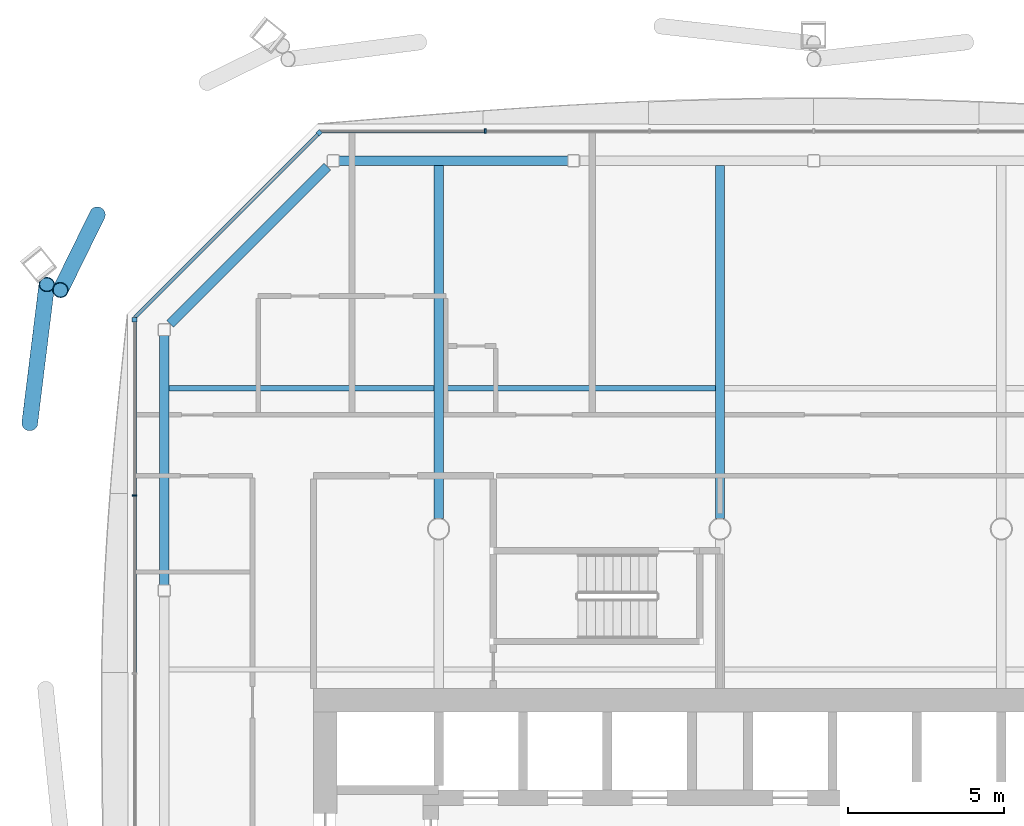
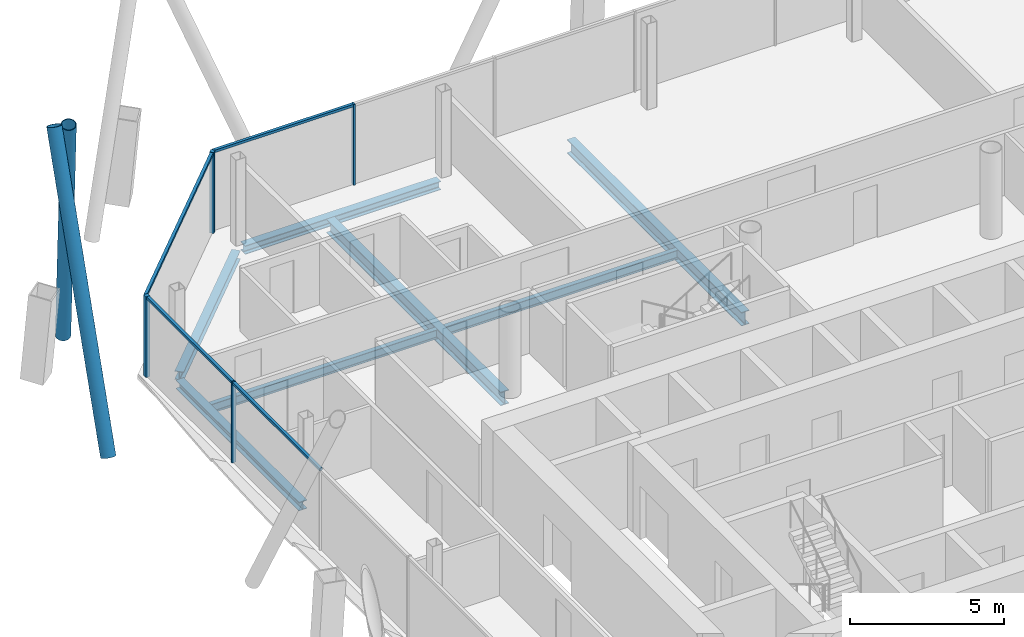
# One storey, part 10 of 20: 10 members, 7 beams, 3 elements without a shape of their own.
"""IFC4 building model written with IfcOpenShell, lengths in metres."""

from ifc_helpers import new_model, si_unit, direction, frame, origin, origin_2d, place, context, subcontext, project, spatial, rectangle, hollow_circle, i_section, extrude, material, material_profile, profile_set, type_object, element, aggregate, save


model = new_model("IFC4")

# Units and contexts
model_context = context("Model", 3, precision=1e-05, world=origin(), true_north=direction((0.0, 1.0)))
body_context = subcontext(model_context, "Body", "Model", "MODEL_VIEW")
ifc_project = project(units=[si_unit("LENGTHUNIT", "METRE"), si_unit("AREAUNIT", "SQUARE_METRE"), si_unit("VOLUMEUNIT", "CUBIC_METRE"), si_unit("PLANEANGLEUNIT", "RADIAN"), si_unit("MASSUNIT", "GRAM", prefix="KILO")], contexts=[model_context])

# Site, building, storey
site_placement = place(None, origin())
site = spatial("IfcSite", under=ifc_project, at=site_placement, CompositionType="ELEMENT")
building_placement = place(site_placement, origin())
building = spatial("IfcBuilding", under=site, at=building_placement, Name="Tskaro Facet Tower", CompositionType="ELEMENT")
storey_placement = place(building_placement, frame((0.0, 0.0, 152.10009765625)))
storey = spatial("IfcBuildingStorey", under=building, at=storey_placement, Name="L37", CompositionType="ELEMENT", Elevation=152.10009765625)

# Members
ifc_material_1 = material(Name="Steel S355J2H", Category="steel")
ifc_material_profile_1 = material_profile(ifc_material_1, hollow_circle(Radius=0.25390625, WallThickness=0.02490234375, at=origin_2d()), Name="CHS 508x25")
ifc_profile_set_1 = profile_set([ifc_material_profile_1], Name="Steel S355J2H")
member_type_1 = type_object("IfcMemberType", Name="CHS 508x25 brace", PredefinedType="BRACE", material=ifc_profile_set_1)
member_1_placement = place(storey_placement, frame((-19.911865234375, 19.051513671875, 0.0), z_axis=(-0.112302745825, -0.228679127936, 0.967002559317), x_axis=(0.897602258082, -0.440806291115, 0.0)))
element("IfcMember", 1, at=member_1_placement, inside=storey, type_object=member_type_1, Name="CHS 508x25 XB09A/3", PredefinedType="BRACE", context=body_context, shape_type="SweptSolid", body=[
    extrude(hollow_circle(Radius=0.25390625, WallThickness=0.02490234375, at=origin_2d()), origin(), (0.0, 0.0, 1.0), 10.548095703125),
])
member_2_placement = place(storey_placement, frame((-22.07763671875, 12.375, 0.0), z_axis=(0.049158993374, 0.398948353269, 0.915654741043), x_axis=(-0.992493610246, 0.122296498807, 0.0)))
element("IfcMember", 2, at=member_2_placement, inside=storey, type_object=member_type_1, Name="CHS 508x25 XB10B/3", PredefinedType="BRACE", context=body_context, shape_type="SweptSolid", body=[
    extrude(hollow_circle(Radius=0.25390625, WallThickness=0.02490234375, at=origin_2d()), origin(), (0.0, 0.0, 1.0), 11.139404296875),
])

# Curtain wall, member
ifc_material_2 = material(Name="Bronze anodised aluminium 6063-T6", Category="aluminium")
curtain_wall_type = type_object("IfcCurtainWallType", Name="Bronze hotel curtain wall (FW2)", PredefinedType="NOTDEFINED", material=ifc_material_2)
curtain_wall_1_placement = place(storey_placement, origin())
curtain_wall_1 = element("IfcCurtainWall", 3, at=curtain_wall_1_placement, inside=storey, type_object=curtain_wall_type, Name="FW2 north-west facet L37", PredefinedType="NOTDEFINED")
ifc_material_profile_2 = material_profile(ifc_material_2, rectangle(XDim=0.14990234375, YDim=0.14990234375, at=origin_2d()), Name="Corner post 150x150")
ifc_profile_set_2 = profile_set([ifc_material_profile_2], Name="Bronze anodised aluminium 6063-T6")
member_type_2 = type_object("IfcMemberType", Name="FW2 bronze corner post 150x150", PredefinedType="MULLION", material=ifc_profile_set_2)
member_3_placement = place(storey_placement, frame((-12.81396484375, 21.6708984375, 0.0), z_axis=(0.0, 0.0, 1.0), x_axis=(-0.707106781187, -0.707106781187, 0.0)))
member_3 = element("IfcMember", 4, at=member_3_placement, type_object=member_type_2, Name="FW2 north-west corner post", PredefinedType="MULLION", context=body_context, shape_type="SweptSolid", body=[
    extrude(rectangle(XDim=0.14990234375, YDim=0.14990234375, at=origin_2d()), origin(), (0.0, 0.0, 1.0), 3.199951171875),
])

curtain_wall_2_placement = place(storey_placement, origin())
curtain_wall_2 = element("IfcCurtainWall", 5, at=curtain_wall_2_placement, inside=storey, type_object=curtain_wall_type, Name="FW2 west facet L37", PredefinedType="NOTDEFINED")
member_4_placement = place(storey_placement, frame((-18.72412109375, 15.68603515625, 0.0), z_axis=(0.0, 0.0, 1.0), x_axis=(0.0, -1.0, 0.0)))
member_4 = element("IfcMember", 6, at=member_4_placement, type_object=member_type_2, Name="FW2 west corner post", PredefinedType="MULLION", context=body_context, shape_type="SweptSolid", body=[
    extrude(rectangle(XDim=0.14990234375, YDim=0.14990234375, at=origin_2d()), origin(), (0.0, 0.0, 1.0), 3.199951171875),
])

curtain_wall_3_placement = place(storey_placement, origin())
curtain_wall_3 = element("IfcCurtainWall", 7, at=curtain_wall_3_placement, inside=storey, type_object=curtain_wall_type, Name="FW2 north facet L37", PredefinedType="NOTDEFINED")
ifc_material_profile_3 = material_profile(ifc_material_2, rectangle(XDim=0.06005859375, YDim=0.14990234375, at=origin_2d()), Name="Mullion 60x150")
ifc_profile_set_3 = profile_set([ifc_material_profile_3], Name="Bronze anodised aluminium 6063-T6")
member_type_3 = type_object("IfcMemberType", Name="FW2 bronze mullion 60x150", PredefinedType="MULLION", material=ifc_profile_set_3)
member_5_placement = place(storey_placement, frame((-7.50732421875, 21.72412109375, 0.0), z_axis=(0.0, 0.0, 1.0), x_axis=(-1.0, 0.0, 0.0)))
member_5 = element("IfcMember", 8, at=member_5_placement, type_object=member_type_3, Name="FW2 north mullion 5", PredefinedType="MULLION", context=body_context, shape_type="SweptSolid", body=[
    extrude(rectangle(XDim=0.06005859375, YDim=0.14990234375, at=origin_2d()), origin(), (0.0, 0.0, 1.0), 3.199951171875),
])

# Member
member_6_placement = place(storey_placement, frame((-18.72412109375, 10.06884765625, 0.0), z_axis=(0.0, 0.0, 1.0), x_axis=(0.0, -1.0, 0.0)))
member_6 = element("IfcMember", 9, at=member_6_placement, type_object=member_type_3, Name="FW2 west mullion 1", PredefinedType="MULLION", context=body_context, shape_type="SweptSolid", body=[
    extrude(rectangle(XDim=0.06005859375, YDim=0.14990234375, at=origin_2d()), origin(), (0.0, 0.0, 1.0), 3.199951171875),
])

ifc_material_profile_4 = material_profile(ifc_material_2, rectangle(XDim=0.110107421875, YDim=0.10009765625, at=origin_2d()), Name="Transom 110x100")
ifc_profile_set_4 = profile_set([ifc_material_profile_4], Name="Bronze anodised aluminium 6063-T6")
member_type_4 = type_object("IfcMemberType", Name="FW2 bronze transom 110x100", PredefinedType="USERDEFINED", material=ifc_profile_set_4)
member_7_placement = place(storey_placement, frame((-7.537353515625, 21.72412109375, 3.14990234375), z_axis=(-1.0, 0.0, 0.0), x_axis=(0.0, -1.0, 0.0)))
member_7 = element("IfcMember", 10, at=member_7_placement, type_object=member_type_4, Name="FW2 north transom 6.1", ObjectType="TRANSOM", PredefinedType="USERDEFINED", context=body_context, shape_type="SweptSolid", body=[
    extrude(rectangle(XDim=0.110107421875, YDim=0.10009765625, at=origin_2d()), origin(), (0.0, 0.0, 1.0), 5.2236328125),
])

aggregate(curtain_wall_3, [member_5, member_7])

member_8_placement = place(storey_placement, frame((-12.8671875, 21.617919921875, 3.14990234375), z_axis=(-0.707106781187, -0.707106781187, 0.0), x_axis=(0.707106781187, -0.707106781187, 0.0)))
member_8 = element("IfcMember", 11, at=member_8_placement, type_object=member_type_4, Name="FW2 north-west transom 1.1", ObjectType="TRANSOM", PredefinedType="USERDEFINED", context=body_context, shape_type="SweptSolid", body=[
    extrude(rectangle(XDim=0.110107421875, YDim=0.10009765625, at=origin_2d()), origin(), (0.0, 0.0, 1.0), 8.282958984375),
])

aggregate(curtain_wall_1, [member_3, member_8])

member_9_placement = place(storey_placement, frame((-18.72412109375, 15.611083984375, 3.14990234375), z_axis=(0.0, -1.0, 0.0), x_axis=(1.0, 0.0, 0.0)))
member_9 = element("IfcMember", 12, at=member_9_placement, type_object=member_type_4, Name="FW2 west transom 1.1", ObjectType="TRANSOM", PredefinedType="USERDEFINED", context=body_context, shape_type="SweptSolid", body=[
    extrude(rectangle(XDim=0.110107421875, YDim=0.10009765625, at=origin_2d()), origin(), (0.0, 0.0, 1.0), 5.51220703125),
])

member_10_placement = place(storey_placement, frame((-18.72412109375, 10.038818359375, 3.14990234375), z_axis=(0.0, -1.0, 0.0), x_axis=(1.0, 0.0, 0.0)))
member_10 = element("IfcMember", 13, at=member_10_placement, type_object=member_type_4, Name="FW2 west transom 2.1", ObjectType="TRANSOM", PredefinedType="USERDEFINED", context=body_context, shape_type="SweptSolid", body=[
    extrude(rectangle(XDim=0.110107421875, YDim=0.10009765625, at=origin_2d()), origin(), (0.0, 0.0, 1.0), 5.632080078125),
])

aggregate(curtain_wall_2, [member_4, member_6, member_9, member_10])

# Beams
ifc_material_3 = material(Name="Steel S355J2", Category="steel")
ifc_material_profile_5 = material_profile(ifc_material_3, i_section(OverallWidth=0.300048828125, OverallDepth=0.340087890625, WebThickness=0.011962890625, FlangeThickness=0.021484375, FilletRadius=0.027099609375, at=origin_2d()), Name="HE 340 B")
ifc_profile_set_5 = profile_set([ifc_material_profile_5], Name="Steel S355J2")
beam_type_1 = type_object("IfcBeamType", Name="HE 340 B ring beam", PredefinedType="BEAM", material=ifc_profile_set_5)
beam_1_placement = place(storey_placement, frame((-4.864013671875, 20.77392578125, -0.31005859375), z_axis=(-1.0, 0.0, 0.0), x_axis=(0.0, -1.0, 0.0)))
element("IfcBeam", 14, at=beam_1_placement, inside=storey, type_object=beam_type_1, Name="HE 340 B EB14-3", PredefinedType="BEAM", context=body_context, shape_type="SweptSolid", body=[
    extrude(i_section(OverallWidth=0.300048828125, OverallDepth=0.340087890625, WebThickness=0.011962890625, FlangeThickness=0.021484375, FilletRadius=0.027099609375, at=origin_2d()), origin(), (0.0, 0.0, 1.0), 7.323974609375),
])
beam_2_placement = place(storey_placement, frame((-12.553955078125, 20.588134765625, -0.31005859375), z_axis=(-0.707106781187, -0.707106781187, 0.0), x_axis=(0.707106781187, -0.707106781187, 0.0)))
element("IfcBeam", 15, at=beam_2_placement, inside=storey, type_object=beam_type_1, Name="HE 340 B EB15-3", PredefinedType="BEAM", context=body_context, shape_type="SweptSolid", body=[
    extrude(i_section(OverallWidth=0.300048828125, OverallDepth=0.340087890625, WebThickness=0.011962890625, FlangeThickness=0.021484375, FilletRadius=0.027099609375, at=origin_2d()), origin(), (0.0, 0.0, 1.0), 7.119384765625),
])
beam_3_placement = place(storey_placement, frame((-17.77392578125, 15.18798828125, -0.31005859375), z_axis=(0.0, -1.0, 0.0), x_axis=(1.0, 0.0, 0.0)))
element("IfcBeam", 16, at=beam_3_placement, inside=storey, type_object=beam_type_1, Name="HE 340 B EB16-3", PredefinedType="BEAM", context=body_context, shape_type="SweptSolid", body=[
    extrude(i_section(OverallWidth=0.300048828125, OverallDepth=0.340087890625, WebThickness=0.011962890625, FlangeThickness=0.021484375, FilletRadius=0.027099609375, at=origin_2d()), origin(), (0.0, 0.0, 1.0), 7.98193359375),
])
ifc_material_profile_6 = material_profile(ifc_material_3, i_section(OverallWidth=0.300048828125, OverallDepth=0.5400390625, WebThickness=0.012451171875, FlangeThickness=0.02392578125, FilletRadius=0.027099609375, at=origin_2d()), Name="HE 550 A")
ifc_profile_set_6 = profile_set([ifc_material_profile_6], Name="Steel S355J2")
beam_type_2 = type_object("IfcBeamType", Name="HE 550 A long girder", PredefinedType="BEAM", material=ifc_profile_set_6)
for number, where, z_axis, x_axis, name in (
    (17, (-9.0, 9.325439453125, -0.41015625), (0.0, 1.0, 0.0), (-1.0, 0.0, 0.0), "HE 550 A LGB3-3-3"),
    (18, (0.0, 9.325439453125, -0.41015625), (0.0, 1.0, 0.0), (-1.0, 0.0, 0.0), "HE 550 A LGB4-3-3"),
):
    element("IfcBeam", number, at=place(storey_placement, frame(where, z_axis=z_axis, x_axis=x_axis)), inside=storey, type_object=beam_type_2, Name=name, PredefinedType="BEAM", context=body_context, shape_type="SweptSolid", body=[
        extrude(i_section(OverallWidth=0.300048828125, OverallDepth=0.5400390625, WebThickness=0.012451171875, FlangeThickness=0.02392578125, FilletRadius=0.027099609375, at=origin_2d()), origin(), (0.0, 0.0, 1.0), 11.298583984375),
    ])
ifc_material_profile_7 = material_profile(ifc_material_3, i_section(OverallWidth=0.169921875, OverallDepth=0.360107421875, WebThickness=0.008056640625, FlangeThickness=0.0126953125, FilletRadius=0.01806640625, at=origin_2d()), Name="IPE 360")
ifc_profile_set_7 = profile_set([ifc_material_profile_7], Name="Steel S355J2")
beam_type_3 = type_object("IfcBeamType", Name="IPE 360 secondary beam", PredefinedType="BEAM", material=ifc_profile_set_7)
beam_4_placement = place(storey_placement, frame((-17.6240234375, 13.5, -0.320068359375), z_axis=(1.0, 0.0, 0.0), x_axis=(0.0, 1.0, 0.0)))
element("IfcBeam", 19, at=beam_4_placement, inside=storey, type_object=beam_type_3, Name="IPE 360 SB5a-1-3", PredefinedType="BEAM", context=body_context, shape_type="SweptSolid", body=[
    extrude(i_section(OverallWidth=0.169921875, OverallDepth=0.360107421875, WebThickness=0.008056640625, FlangeThickness=0.0126953125, FilletRadius=0.01806640625, at=origin_2d()), origin(), (0.0, 0.0, 1.0), 8.47412109375),
])
beam_5_placement = place(storey_placement, frame((-8.85009765625, 13.5, -0.320068359375), z_axis=(1.0, 0.0, 0.0), x_axis=(0.0, 1.0, 0.0)))
element("IfcBeam", 20, at=beam_5_placement, inside=storey, type_object=beam_type_3, Name="IPE 360 SB5a-2-3", PredefinedType="BEAM", context=body_context, shape_type="SweptSolid", body=[
    extrude(i_section(OverallWidth=0.169921875, OverallDepth=0.360107421875, WebThickness=0.008056640625, FlangeThickness=0.0126953125, FilletRadius=0.01806640625, at=origin_2d()), origin(), (0.0, 0.0, 1.0), 8.7001953125),
])

save(model, "model.ifc")
